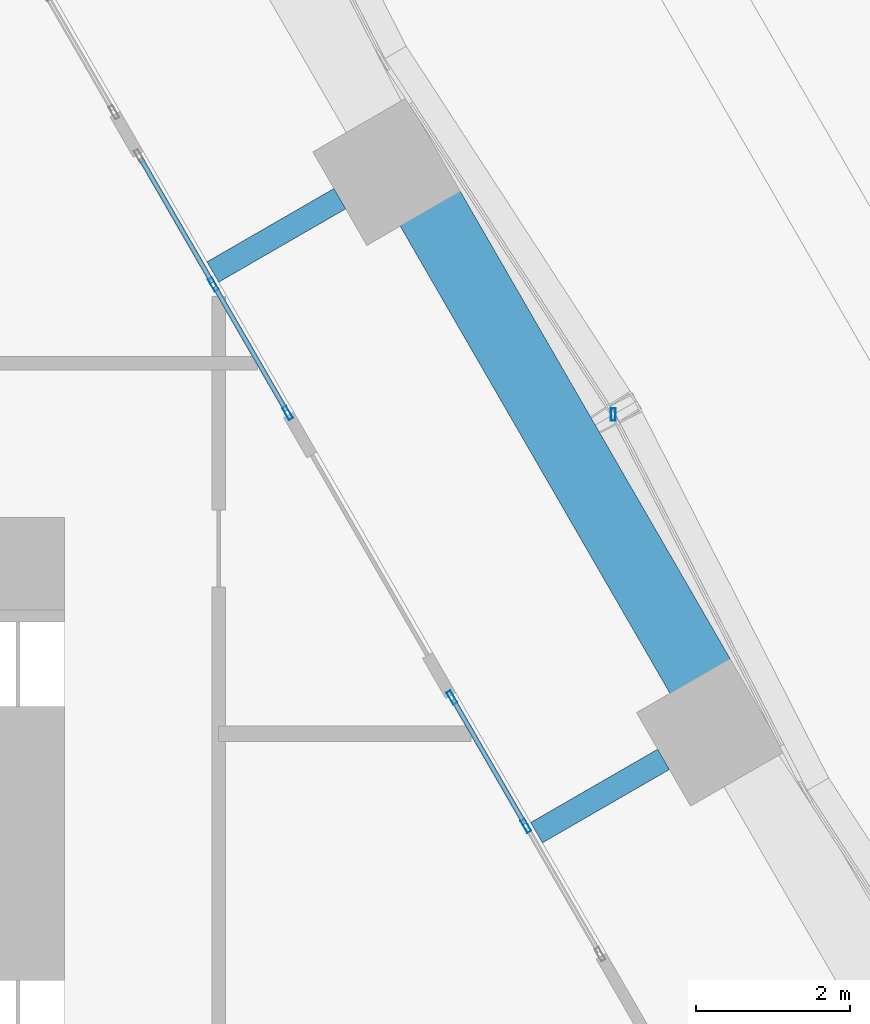
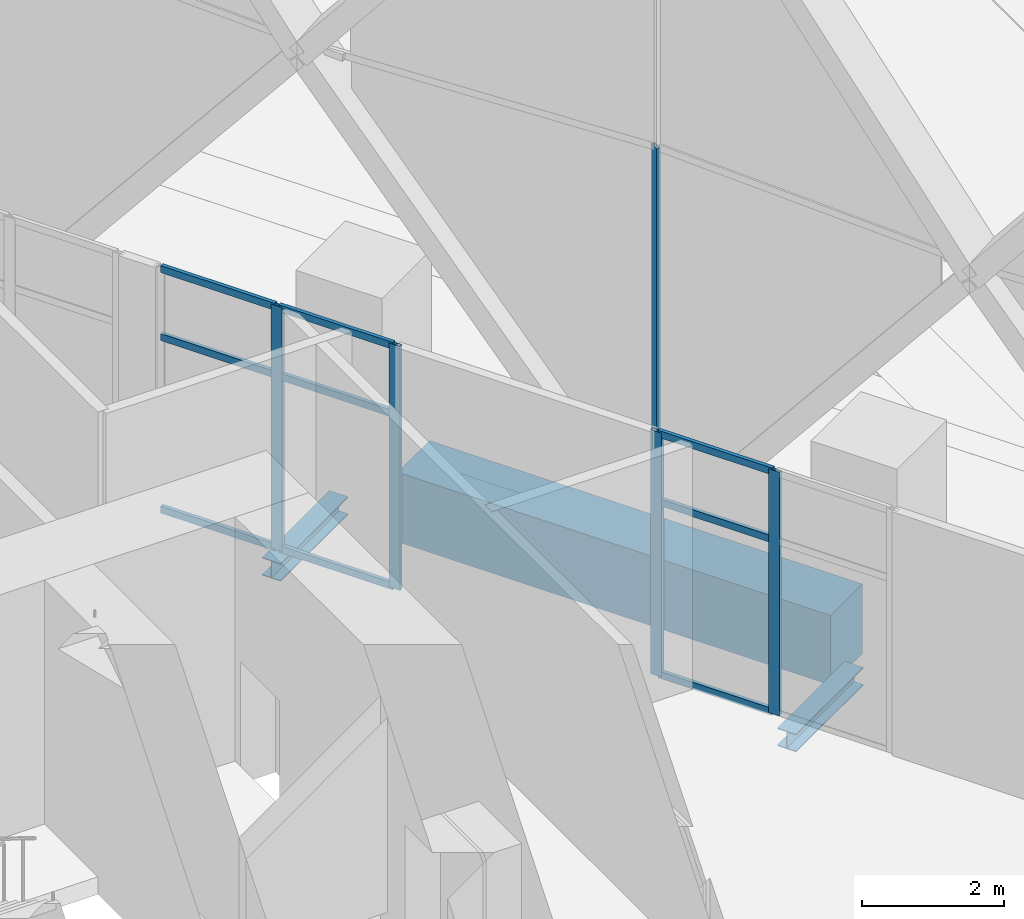
# One storey, part 33 of 71: 14 members, 3 beams, 3 elements without a shape of their own.
"""IFC4 building model written with IfcOpenShell, lengths in metres."""

from ifc_helpers import new_model, si_unit, direction, frame, origin, origin_2d, place, context, subcontext, project, spatial, rectangle, hollow_rectangle, i_section, extrude, material, material_profile, profile_set, type_object, element, aggregate, save


model = new_model("IFC4")

# Units and contexts
model_context = context("Model", 3, precision=1e-05, world=origin(), true_north=direction((0.0, 1.0)))
body_context = subcontext(model_context, "Body", "Model", "MODEL_VIEW")
ifc_project = project(units=[si_unit("LENGTHUNIT", "METRE"), si_unit("AREAUNIT", "SQUARE_METRE"), si_unit("VOLUMEUNIT", "CUBIC_METRE"), si_unit("PLANEANGLEUNIT", "RADIAN"), si_unit("MASSUNIT", "GRAM", prefix="KILO")], contexts=[model_context])

# Site, building, storey
site_placement = place(None, origin())
site = spatial("IfcSite", under=ifc_project, at=site_placement, CompositionType="ELEMENT")
building_placement = place(site_placement, origin())
building = spatial("IfcBuilding", under=site, at=building_placement, Name="Ostrander Bayou Hotel Tower", CompositionType="ELEMENT")
storey_placement = place(building_placement, frame((0.0, 0.0, 10.0)))
storey = spatial("IfcBuildingStorey", under=building, at=storey_placement, Name="L02", CompositionType="ELEMENT", Elevation=10.0)

# Curtain wall, member
ifc_material_1 = material(Name="Aluminium and clear glass", Category="aluminium")
curtain_wall_type_1 = type_object("IfcCurtainWallType", Name="CW-LAT lattice glazing", PredefinedType="NOTDEFINED", material=ifc_material_1)
curtain_wall_1_placement = place(storey_placement, origin())
curtain_wall_1 = element("IfcCurtainWall", 1, at=curtain_wall_1_placement, inside=storey, type_object=curtain_wall_type_1, Name="CW-LAT L02 NE 1", PredefinedType="NOTDEFINED")
ifc_material_2 = material(Name="Aluminium", Category="aluminium")
ifc_material_profile_1 = material_profile(ifc_material_2, hollow_rectangle(XDim=0.06005859375, YDim=0.159912109375, WallThickness=0.00390625, at=origin_2d()))
ifc_profile_set_1 = profile_set([ifc_material_profile_1], Name="Aluminium")
member_type_1 = type_object("IfcMemberType", Name="CW-LA mullion 60 x 160 mm", PredefinedType="MULLION", material=ifc_profile_set_1)
member_1_placement = place(storey_placement, frame((19.11328125, 11.034912109375, -0.60009765625), z_axis=(0.0, 0.0, 1.0), x_axis=(1.0, 0.0, 0.0)))
member_1 = element("IfcMember", 2, at=member_1_placement, type_object=member_type_1, Name="CW-LAT mullion 4", PredefinedType="MULLION", context=body_context, shape_type="SweptSolid", body=[
    extrude(hollow_rectangle(XDim=0.06005859375, YDim=0.159912109375, WallThickness=0.00390625, at=origin_2d()), origin(), (0.0, 0.0, 1.0), 6.75),
])
aggregate(curtain_wall_1, [member_1])

# Curtain wall, members
ifc_material_3 = material(Name="Aluminium and clear glass", Category="aluminium")
curtain_wall_type_2 = type_object("IfcCurtainWallType", Name="CW-SKY amenity glass wall", PredefinedType="NOTDEFINED", material=ifc_material_3)
curtain_wall_2_placement = place(storey_placement, origin())
curtain_wall_2 = element("IfcCurtainWall", 3, at=curtain_wall_2_placement, inside=storey, type_object=curtain_wall_type_2, Name="CW-SKY L02 NE 2", PredefinedType="NOTDEFINED")
ifc_material_4 = material(Name="Aluminium", Category="aluminium")
ifc_material_profile_2 = material_profile(ifc_material_4, hollow_rectangle(XDim=0.06005859375, YDim=0.179931640625, WallThickness=0.00390625, at=origin_2d()))
ifc_profile_set_2 = profile_set([ifc_material_profile_2], Name="Aluminium")
member_type_2 = type_object("IfcMemberType", Name="CW-SK mullion 60 x 180 mm", PredefinedType="MULLION", material=ifc_profile_set_2)
member_2_placement = place(storey_placement, frame((17.9814453125, 5.705078125, 0.0), z_axis=(0.0, 0.0, 1.0), x_axis=(-0.866025463091, -0.499999897278, 0.0)))
member_2 = element("IfcMember", 4, at=member_2_placement, type_object=member_type_2, Name="CW-SKY mullion 2", PredefinedType="MULLION", context=body_context, shape_type="SweptSolid", body=[
    extrude(hollow_rectangle(XDim=0.06005859375, YDim=0.179931640625, WallThickness=0.00390625, at=origin_2d()), origin(), (0.0, 0.0, 1.0), 4.199951171875),
])
member_3_placement = place(storey_placement, frame((17.021484375, 7.367919921875, 0.0), z_axis=(0.0, 0.0, 1.0), x_axis=(-0.866025463091, -0.499999897278, 0.0)))
member_3 = element("IfcMember", 5, at=member_3_placement, type_object=member_type_2, Name="CW-SKY mullion 3", PredefinedType="MULLION", context=body_context, shape_type="SweptSolid", body=[
    extrude(hollow_rectangle(XDim=0.06005859375, YDim=0.179931640625, WallThickness=0.00390625, at=origin_2d()), origin(), (0.0, 0.0, 1.0), 4.199951171875),
])

curtain_wall_3_placement = place(storey_placement, origin())
curtain_wall_3 = element("IfcCurtainWall", 6, at=curtain_wall_3_placement, inside=storey, type_object=curtain_wall_type_2, Name="CW-SKY L02 NE 4", PredefinedType="NOTDEFINED")
member_4_placement = place(storey_placement, frame((14.8916015625, 11.05712890625, 0.0), z_axis=(0.0, 0.0, 1.0), x_axis=(-0.866025463091, -0.499999897278, 0.0)))
member_4 = element("IfcMember", 7, at=member_4_placement, type_object=member_type_2, Name="CW-SKY mullion 1", PredefinedType="MULLION", context=body_context, shape_type="SweptSolid", body=[
    extrude(hollow_rectangle(XDim=0.06005859375, YDim=0.179931640625, WallThickness=0.00390625, at=origin_2d()), origin(), (0.0, 0.0, 1.0), 4.199951171875),
])
member_5_placement = place(storey_placement, frame((13.931396484375, 12.719970703125, 0.0), z_axis=(0.0, 0.0, 1.0), x_axis=(-0.866025463091, -0.499999897278, 0.0)))
member_5 = element("IfcMember", 8, at=member_5_placement, type_object=member_type_2, Name="CW-SKY mullion 2", PredefinedType="MULLION", context=body_context, shape_type="SweptSolid", body=[
    extrude(hollow_rectangle(XDim=0.06005859375, YDim=0.179931640625, WallThickness=0.00390625, at=origin_2d()), origin(), (0.0, 0.0, 1.0), 4.199951171875),
])

# Member
ifc_material_5 = material(Name="Aluminium", Category="aluminium")
ifc_material_profile_3 = material_profile(ifc_material_5, hollow_rectangle(XDim=0.06005859375, YDim=0.1201171875, WallThickness=0.00390625, at=origin_2d()))
ifc_profile_set_3 = profile_set([ifc_material_profile_3], Name="Aluminium")
member_type_3 = type_object("IfcMemberType", Name="CW-SK transom 60 x 120 mm", PredefinedType="USERDEFINED", material=ifc_profile_set_3)
member_6_placement = place(storey_placement, frame((17.966552734375, 5.73095703125, 0.030029296875), z_axis=(-0.499964847546, 0.866045698112, 0.0), x_axis=(-0.866045698112, -0.499964847546, 0.0)))
member_6 = element("IfcMember", 9, at=member_6_placement, type_object=member_type_3, Name="CW-SKY transom 2.1", ObjectType="TRANSOM", PredefinedType="USERDEFINED", context=body_context, shape_type="SweptSolid", body=[
    extrude(hollow_rectangle(XDim=0.06005859375, YDim=0.1201171875, WallThickness=0.00390625, at=origin_2d()), origin(), (0.0, 0.0, 1.0), 1.860107421875),
])

member_7_placement = place(storey_placement, frame((17.966552734375, 5.73095703125, 3.0), z_axis=(-0.499964847546, 0.866045698112, 0.0), x_axis=(-0.866045698112, -0.499964847546, 0.0)))
member_7 = element("IfcMember", 10, at=member_7_placement, type_object=member_type_3, Name="CW-SKY transom 2.2", ObjectType="TRANSOM", PredefinedType="USERDEFINED", context=body_context, shape_type="SweptSolid", body=[
    extrude(hollow_rectangle(XDim=0.06005859375, YDim=0.1201171875, WallThickness=0.00390625, at=origin_2d()), origin(), (0.0, 0.0, 1.0), 1.860107421875),
])

member_8_placement = place(storey_placement, frame((17.966552734375, 5.73095703125, 4.169921875), z_axis=(-0.499964847546, 0.866045698112, 0.0), x_axis=(-0.866045698112, -0.499964847546, 0.0)))
member_8 = element("IfcMember", 11, at=member_8_placement, type_object=member_type_3, Name="CW-SKY transom 2.3", ObjectType="TRANSOM", PredefinedType="USERDEFINED", context=body_context, shape_type="SweptSolid", body=[
    extrude(hollow_rectangle(XDim=0.06005859375, YDim=0.1201171875, WallThickness=0.00390625, at=origin_2d()), origin(), (0.0, 0.0, 1.0), 1.860107421875),
])

aggregate(curtain_wall_2, [member_2, member_3, member_6, member_7, member_8])

member_9_placement = place(storey_placement, frame((14.87646484375, 11.083251953125, 0.030029296875), z_axis=(-0.500021687003, 0.866012882425, 0.0), x_axis=(-0.866012882425, -0.500021687003, 0.0)))
member_9 = element("IfcMember", 12, at=member_9_placement, type_object=member_type_3, Name="CW-SKY transom 1.1", ObjectType="TRANSOM", PredefinedType="USERDEFINED", context=body_context, shape_type="SweptSolid", body=[
    extrude(hollow_rectangle(XDim=0.06005859375, YDim=0.1201171875, WallThickness=0.00390625, at=origin_2d()), origin(), (0.0, 0.0, 1.0), 1.85986328125),
])

member_10_placement = place(storey_placement, frame((14.87646484375, 11.083251953125, 3.0), z_axis=(-0.500021687003, 0.866012882425, 0.0), x_axis=(-0.866012882425, -0.500021687003, 0.0)))
member_10 = element("IfcMember", 13, at=member_10_placement, type_object=member_type_3, Name="CW-SKY transom 1.2", ObjectType="TRANSOM", PredefinedType="USERDEFINED", context=body_context, shape_type="SweptSolid", body=[
    extrude(hollow_rectangle(XDim=0.06005859375, YDim=0.1201171875, WallThickness=0.00390625, at=origin_2d()), origin(), (0.0, 0.0, 1.0), 1.85986328125),
])

member_11_placement = place(storey_placement, frame((14.87646484375, 11.083251953125, 4.169921875), z_axis=(-0.500021687003, 0.866012882425, 0.0), x_axis=(-0.866012882425, -0.500021687003, 0.0)))
member_11 = element("IfcMember", 14, at=member_11_placement, type_object=member_type_3, Name="CW-SKY transom 1.3", ObjectType="TRANSOM", PredefinedType="USERDEFINED", context=body_context, shape_type="SweptSolid", body=[
    extrude(hollow_rectangle(XDim=0.06005859375, YDim=0.1201171875, WallThickness=0.00390625, at=origin_2d()), origin(), (0.0, 0.0, 1.0), 1.85986328125),
])

member_12_placement = place(storey_placement, frame((13.91650390625, 12.745849609375, 0.030029296875), z_axis=(-0.499964847546, 0.866045698112, 0.0), x_axis=(-0.866045698112, -0.499964847546, 0.0)))
member_12 = element("IfcMember", 15, at=member_12_placement, type_object=member_type_3, Name="CW-SKY transom 2.1", ObjectType="TRANSOM", PredefinedType="USERDEFINED", context=body_context, shape_type="SweptSolid", body=[
    extrude(hollow_rectangle(XDim=0.06005859375, YDim=0.1201171875, WallThickness=0.00390625, at=origin_2d()), origin(), (0.0, 0.0, 1.0), 1.860107421875),
])

member_13_placement = place(storey_placement, frame((13.91650390625, 12.745849609375, 3.0), z_axis=(-0.499964847546, 0.866045698112, 0.0), x_axis=(-0.866045698112, -0.499964847546, 0.0)))
member_13 = element("IfcMember", 16, at=member_13_placement, type_object=member_type_3, Name="CW-SKY transom 2.2", ObjectType="TRANSOM", PredefinedType="USERDEFINED", context=body_context, shape_type="SweptSolid", body=[
    extrude(hollow_rectangle(XDim=0.06005859375, YDim=0.1201171875, WallThickness=0.00390625, at=origin_2d()), origin(), (0.0, 0.0, 1.0), 1.860107421875),
])

member_14_placement = place(storey_placement, frame((13.91650390625, 12.745849609375, 4.169921875), z_axis=(-0.499964847546, 0.866045698112, 0.0), x_axis=(-0.866045698112, -0.499964847546, 0.0)))
member_14 = element("IfcMember", 17, at=member_14_placement, type_object=member_type_3, Name="CW-SKY transom 2.3", ObjectType="TRANSOM", PredefinedType="USERDEFINED", context=body_context, shape_type="SweptSolid", body=[
    extrude(hollow_rectangle(XDim=0.06005859375, YDim=0.1201171875, WallThickness=0.00390625, at=origin_2d()), origin(), (0.0, 0.0, 1.0), 1.860107421875),
])

aggregate(curtain_wall_3, [member_4, member_5, member_9, member_10, member_11, member_12, member_13, member_14])

# Beams
ifc_material_6 = material(Name="Steel ASTM A992", Category="steel")
ifc_material_profile_4 = material_profile(ifc_material_6, i_section(OverallWidth=0.3046875, OverallDepth=0.307861328125, WebThickness=0.010009765625, FlangeThickness=0.015380859375, at=origin_2d()))
ifc_profile_set_4 = profile_set([ifc_material_profile_4], Name="Steel ASTM A992")
beam_type_1 = type_object("IfcBeamType", Name="LB1 loggia bracket W12x65", PredefinedType="BEAM", material=ifc_profile_set_4)
beam_1_placement = place(storey_placement, frame((19.7646484375, 6.566650390625, -0.453857421875), z_axis=(-0.866044365799, -0.499967155389, 0.0), x_axis=(0.499967155389, -0.866044365799, 0.0)))
element("IfcBeam", 18, at=beam_1_placement, inside=storey, type_object=beam_type_1, Name="LB1 L02 NE1", PredefinedType="BEAM", context=body_context, shape_type="SweptSolid", body=[
    extrude(i_section(OverallWidth=0.3046875, OverallDepth=0.307861328125, WebThickness=0.010009765625, FlangeThickness=0.015380859375, at=origin_2d()), origin(), (0.0, 0.0, 1.0), 1.900146484375),
])
beam_2_placement = place(storey_placement, frame((15.569091796875, 13.833251953125, -0.453857421875), z_axis=(-0.86601224135, -0.500022797313, 0.0), x_axis=(0.500022797313, -0.86601224135, 0.0)))
element("IfcBeam", 19, at=beam_2_placement, inside=storey, type_object=beam_type_1, Name="LB1 L02 NE2", PredefinedType="BEAM", context=body_context, shape_type="SweptSolid", body=[
    extrude(i_section(OverallWidth=0.3046875, OverallDepth=0.307861328125, WebThickness=0.010009765625, FlangeThickness=0.015380859375, at=origin_2d()), origin(), (0.0, 0.0, 1.0), 1.89990234375),
])
ifc_material_7 = material(Name="Concrete f'c 70 MPa", Category="concrete")
ifc_material_profile_5 = material_profile(ifc_material_7, rectangle(XDim=0.89990234375, YDim=1.199951171875, at=origin_2d()))
ifc_profile_set_5 = profile_set([ifc_material_profile_5], Name="Concrete f'c 70 MPa")
beam_type_2 = type_object("IfcBeamType", Name="SP1 spandrel beam 900 x 1200 mm f'c 70 MPa", PredefinedType="SPANDREL", material=ifc_profile_set_5)
beam_3_placement = place(storey_placement, frame((20.252197265625, 7.621826171875, -0.60009765625), z_axis=(-0.499997206141, 0.866027016814, 0.0), x_axis=(-0.866027016814, -0.499997206141, 0.0)))
element("IfcBeam", 20, at=beam_3_placement, inside=storey, type_object=beam_type_2, Name="SP1 L02 NE-2", PredefinedType="SPANDREL", context=body_context, shape_type="SweptSolid", body=[
    extrude(rectangle(XDim=0.89990234375, YDim=1.199951171875, at=origin_2d()), origin(), (0.0, 0.0, 1.0), 7.05078125),
])

save(model, "model.ifc")
